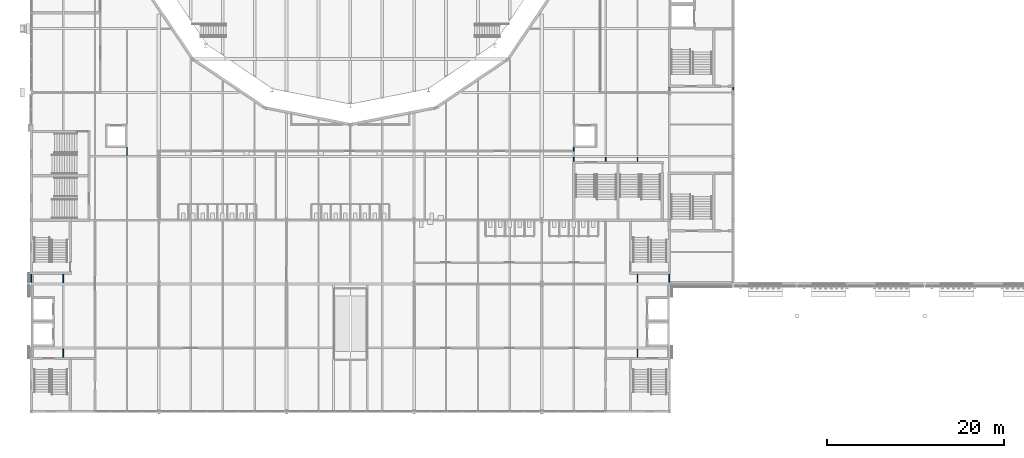
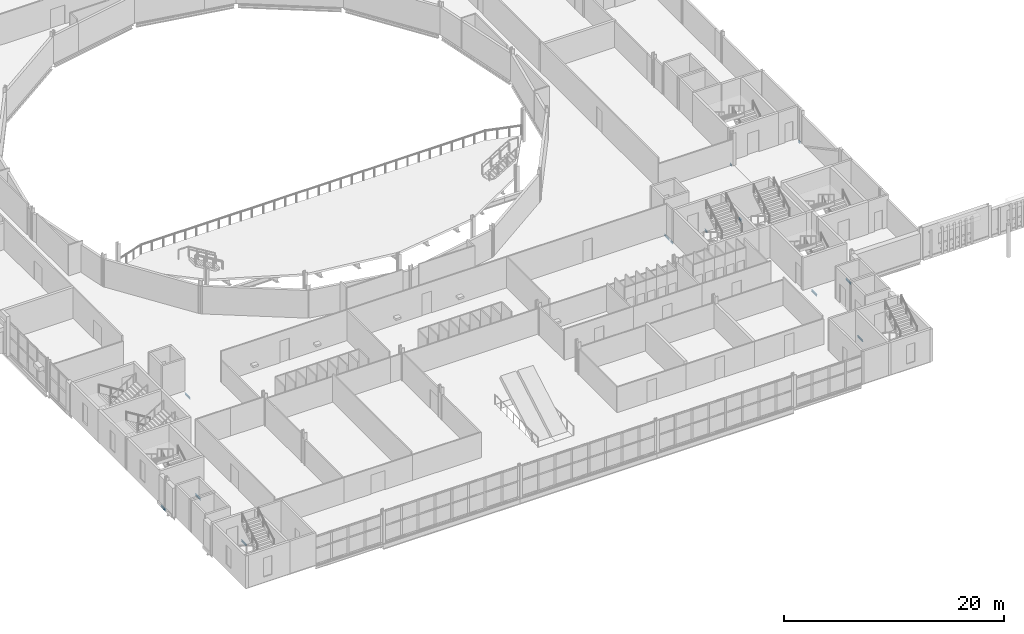
# One storey, part 54 of 124: 13 beams.
"""IFC4 building model written with IfcOpenShell, lengths in metres."""

from ifc_helpers import new_model, si_unit, direction, frame, origin, origin_2d, place, context, subcontext, project, spatial, i_section, extrude, material, material_profile, profile_set, type_object, element, save


model = new_model("IFC4")

# Units and contexts
model_context = context("Model", 3, precision=1e-05, world=origin(), true_north=direction((0.0, 1.0)))
body_context = subcontext(model_context, "Body", "Model", "MODEL_VIEW")
ifc_project = project(units=[si_unit("LENGTHUNIT", "METRE"), si_unit("AREAUNIT", "SQUARE_METRE"), si_unit("VOLUMEUNIT", "CUBIC_METRE"), si_unit("PLANEANGLEUNIT", "RADIAN"), si_unit("MASSUNIT", "GRAM", prefix="KILO")], contexts=[model_context])

# Site, building, storey
site_placement = place(None, origin())
site = spatial("IfcSite", under=ifc_project, at=site_placement, CompositionType="ELEMENT")
building_placement = place(site_placement, origin())
building = spatial("IfcBuilding", under=site, at=building_placement, Name="Kupolbacken Congress Centre", CompositionType="ELEMENT")
storey_placement = place(building_placement, frame((0.0, 0.0, 10.800048828125)))
storey = spatial("IfcBuildingStorey", under=building, at=storey_placement, Name="L03", CompositionType="ELEMENT", Elevation=10.800048828125)

# Beams
ifc_material = material(Name="Steel S355", Category="steel")
ifc_material_profile = material_profile(ifc_material, i_section(OverallWidth=0.10009765625, OverallDepth=0.199951171875, WebThickness=0.005615234375, FlangeThickness=0.008544921875, FilletRadius=0.011962890625, at=origin_2d()), Name="IPE 200")
ifc_profile_set = profile_set([ifc_material_profile], Name="Steel S355")
beam_type = type_object("IfcBeamType", Name="B01 beam IPE 200", PredefinedType="BEAM", material=ifc_profile_set)
for number, where, z_axis, x_axis, name in (
    (1, (7.199951171875, 43.35009765625, -0.280029296875), (0.0, 1.0, 0.0), (-1.0, 0.0, 0.0), "S/floor/F/L03/G003"),
    (2, (79.199951171875, 43.35009765625, -0.280029296875), (0.0, 1.0, 0.0), (-1.0, 0.0, 0.0), "S/floor/F/L03/G014"),
):
    element("IfcBeam", number, at=place(storey_placement, frame(where, z_axis=z_axis, x_axis=x_axis)), inside=storey, type_object=beam_type, Name=name, PredefinedType="BEAM", context=body_context, shape_type="SweptSolid", body=[
        extrude(i_section(OverallWidth=0.10009765625, OverallDepth=0.199951171875, WebThickness=0.005615234375, FlangeThickness=0.008544921875, FilletRadius=0.011962890625, at=origin_2d()), origin(), (0.0, 0.0, 1.0), 0.9248046875),
    ])
for number, where, z_axis, x_axis, name in (
    (3, (10.800048828125, 34.925048828125, -0.280029296875), (0.0, 1.0, 0.0), (-1.0, 0.0, 0.0), "S/floor/F/L03/S040"),
    (4, (10.800048828125, 43.31005859375, -0.280029296875), (0.0, 1.0, 0.0), (-1.0, 0.0, 0.0), "S/floor/F/L03/S042"),
    (5, (75.60009765625, 34.925048828125, -0.280029296875), (0.0, 1.0, 0.0), (-1.0, 0.0, 0.0), "S/floor/F/L03/S081"),
    (6, (75.60009765625, 43.31005859375, -0.280029296875), (0.0, 1.0, 0.0), (-1.0, 0.0, 0.0), "S/floor/F/L03/S083"),
):
    element("IfcBeam", number, at=place(storey_placement, frame(where, z_axis=z_axis, x_axis=x_axis)), inside=storey, type_object=beam_type, Name=name, PredefinedType="BEAM", context=body_context, shape_type="SweptSolid", body=[
        extrude(i_section(OverallWidth=0.10009765625, OverallDepth=0.199951171875, WebThickness=0.005615234375, FlangeThickness=0.008544921875, FilletRadius=0.011962890625, at=origin_2d()), origin(), (0.0, 0.0, 1.0), 0.96484375),
    ])
beam_1_placement = place(storey_placement, frame((79.199951171875, 65.02490234375, -0.280029296875), z_axis=(0.0, 1.0, 0.0), x_axis=(-1.0, 0.0, 0.0)))
element("IfcBeam", 7, at=beam_1_placement, inside=storey, type_object=beam_type, Name="S/floor/P/L03/G033", PredefinedType="BEAM", context=body_context, shape_type="SweptSolid", body=[
    extrude(i_section(OverallWidth=0.10009765625, OverallDepth=0.199951171875, WebThickness=0.005615234375, FlangeThickness=0.008544921875, FilletRadius=0.011962890625, at=origin_2d()), origin(), (0.0, 0.0, 1.0), 0.35009765625),
])
for number, where, z_axis, x_axis, name in (
    (8, (72.0, 57.02490234375, -0.280029296875), (0.0, 1.0, 0.0), (-1.0, 0.0, 0.0), "S/floor/P/L03/S140"),
    (9, (75.60009765625, 57.02490234375, -0.280029296875), (0.0, 1.0, 0.0), (-1.0, 0.0, 0.0), "S/floor/P/L03/S151"),
):
    element("IfcBeam", number, at=place(storey_placement, frame(where, z_axis=z_axis, x_axis=x_axis)), inside=storey, type_object=beam_type, Name=name, PredefinedType="BEAM", context=body_context, shape_type="SweptSolid", body=[
        extrude(i_section(OverallWidth=0.10009765625, OverallDepth=0.199951171875, WebThickness=0.005615234375, FlangeThickness=0.008544921875, FilletRadius=0.011962890625, at=origin_2d()), origin(), (0.0, 0.0, 1.0), 0.465087890625),
    ])
beam_2_placement = place(storey_placement, frame((18.0, 57.679931640625, -0.280029296875), z_axis=(0.0, 1.0, 0.0), x_axis=(-1.0, 0.0, 0.0)))
element("IfcBeam", 10, at=beam_2_placement, inside=storey, type_object=beam_type, Name="S/floor/P/L03/S162", PredefinedType="BEAM", context=body_context, shape_type="SweptSolid", body=[
    extrude(i_section(OverallWidth=0.10009765625, OverallDepth=0.199951171875, WebThickness=0.005615234375, FlangeThickness=0.008544921875, FilletRadius=0.011962890625, at=origin_2d()), origin(), (0.0, 0.0, 1.0), 0.920166015625),
])
beam_3_placement = place(storey_placement, frame((68.39990234375, 57.02490234375, -0.280029296875), z_axis=(0.0, 1.0, 0.0), x_axis=(-1.0, 0.0, 0.0)))
element("IfcBeam", 11, at=beam_3_placement, inside=storey, type_object=beam_type, Name="S/floor/P/L03/S165", PredefinedType="BEAM", context=body_context, shape_type="SweptSolid", body=[
    extrude(i_section(OverallWidth=0.10009765625, OverallDepth=0.199951171875, WebThickness=0.005615234375, FlangeThickness=0.008544921875, FilletRadius=0.011962890625, at=origin_2d()), origin(), (0.0, 0.0, 1.0), 0.465087890625),
])
beam_4_placement = place(storey_placement, frame((68.39990234375, 57.7099609375, -0.280029296875), z_axis=(0.0, 1.0, 0.0), x_axis=(-1.0, 0.0, 0.0)))
element("IfcBeam", 12, at=beam_4_placement, inside=storey, type_object=beam_type, Name="S/floor/P/L03/S166", PredefinedType="BEAM", context=body_context, shape_type="SweptSolid", body=[
    extrude(i_section(OverallWidth=0.10009765625, OverallDepth=0.199951171875, WebThickness=0.005615234375, FlangeThickness=0.008544921875, FilletRadius=0.011962890625, at=origin_2d()), origin(), (0.0, 0.0, 1.0), 0.89013671875),
])
beam_5_placement = place(storey_placement, frame((86.39990234375, 65.044921875, -0.280029296875), z_axis=(0.0, 1.0, 0.0), x_axis=(-1.0, 0.0, 0.0)))
element("IfcBeam", 13, at=beam_5_placement, inside=storey, type_object=beam_type, Name="S/floor/LINK/L03/E004", PredefinedType="BEAM", context=body_context, shape_type="SweptSolid", body=[
    extrude(i_section(OverallWidth=0.10009765625, OverallDepth=0.199951171875, WebThickness=0.005615234375, FlangeThickness=0.008544921875, FilletRadius=0.011962890625, at=origin_2d()), origin(), (0.0, 0.0, 1.0), 0.35498046875),
])

save(model, "model.ifc")
